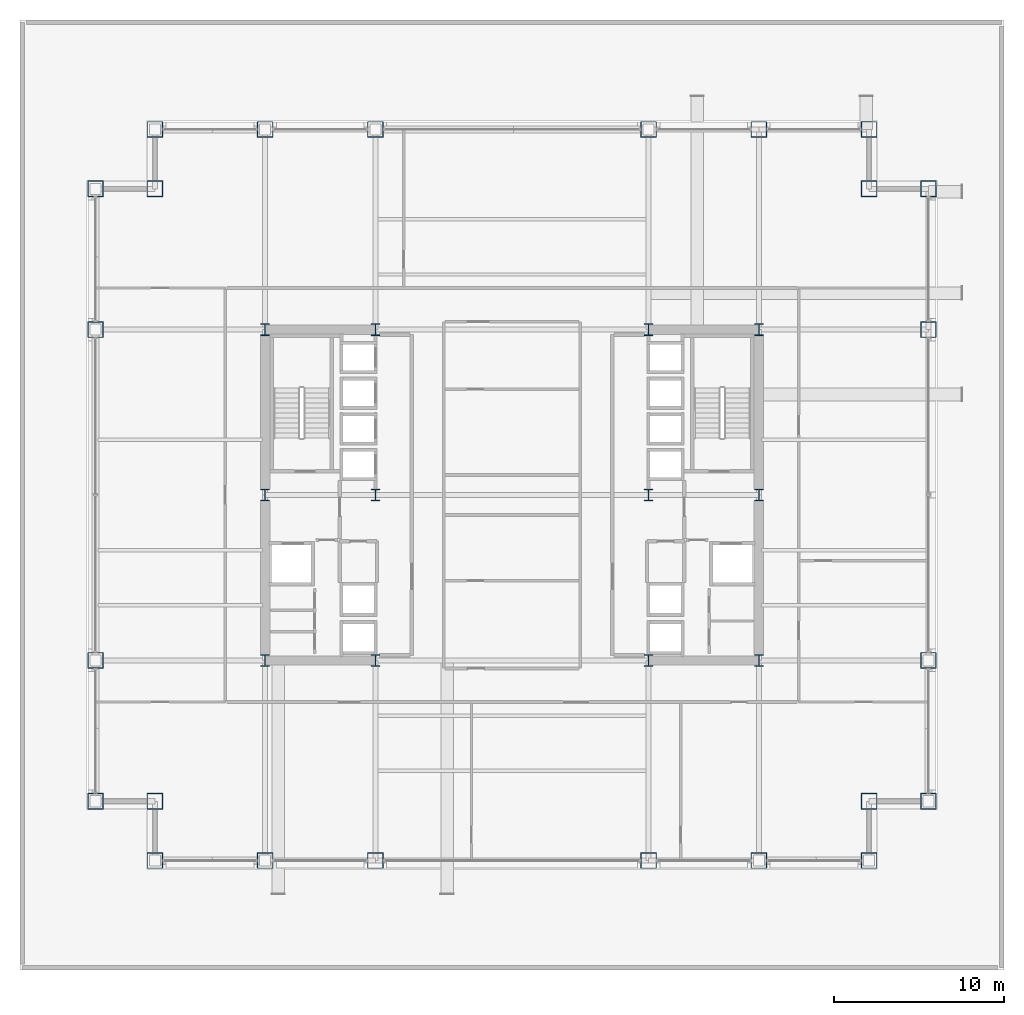
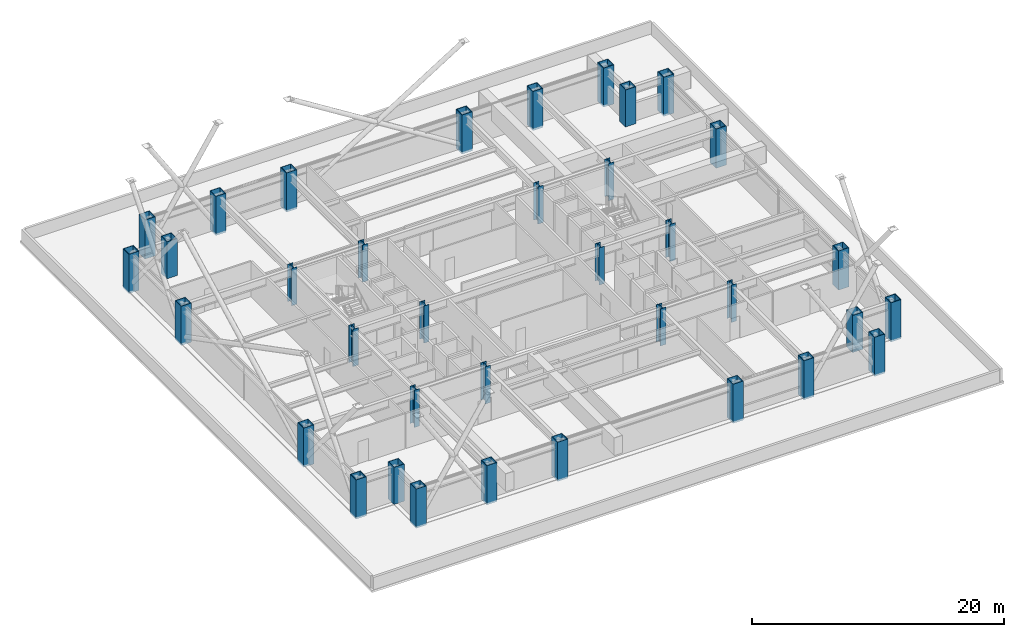
# One storey, part 1 of 33: 36 columns.
"""IFC4 building model written with IfcOpenShell, lengths in metres."""

from ifc_helpers import new_model, si_unit, direction, frame, origin, origin_2d, place, context, subcontext, project, spatial, hollow_rectangle, i_section, extrude, material, material_profile, profile_set, type_object, element, save


model = new_model("IFC4")

# Units and contexts
model_context = context("Model", 3, precision=1e-05, world=origin(), true_north=direction((0.0, 1.0)))
body_context = subcontext(model_context, "Body", "Model", "MODEL_VIEW")
ifc_project = project(units=[si_unit("LENGTHUNIT", "METRE"), si_unit("AREAUNIT", "SQUARE_METRE"), si_unit("VOLUMEUNIT", "CUBIC_METRE"), si_unit("PLANEANGLEUNIT", "RADIAN"), si_unit("MASSUNIT", "GRAM", prefix="KILO")], contexts=[model_context])

# Site, building, storey
site_placement = place(None, origin())
site = spatial("IfcSite", under=ifc_project, at=site_placement, CompositionType="ELEMENT")
building_placement = place(site_placement, origin())
building = spatial("IfcBuilding", under=site, at=building_placement, Name="Brelmoor Portico Tower", CompositionType="ELEMENT")
storey_placement = place(building_placement, frame((0.0, 0.0, 24.0)))
storey = spatial("IfcBuildingStorey", under=building, at=storey_placement, Name="L05", CompositionType="ELEMENT", Elevation=24.0)

# Columns
ifc_material = material(Name="Steel Q420B", Category="steel")
ifc_material_profile_1 = material_profile(ifc_material, hollow_rectangle(XDim=0.949951171875, YDim=0.949951171875, WallThickness=0.048095703125, at=origin_2d()), Name="BOX 950x950x48")
ifc_profile_set_1 = profile_set([ifc_material_profile_1], Name="Steel Q420B")
column_type_1 = type_object("IfcColumnType", Name="COL-MEGA-950", PredefinedType="COLUMN", material=ifc_profile_set_1)
for number, where, z_axis, x_axis, name in (
    (1, (-21.050048828125, -21.550048828125, -0.199951171875), (0.0, 0.0, 1.0), (1.0, 0.0, 0.0), "L05 Perimeter Mega-Column PS01"),
    (2, (-14.550048828125, -21.550048828125, -0.199951171875), (0.0, 0.0, 1.0), (1.0, 0.0, 0.0), "L05 Perimeter Mega-Column PS02"),
    (3, (-8.050048828125, -21.550048828125, -0.199951171875), (0.0, 0.0, 1.0), (1.0, 0.0, 0.0), "L05 Perimeter Mega-Column PS03"),
    (4, (8.050048828125, -21.550048828125, -0.199951171875), (0.0, 0.0, 1.0), (1.0, 0.0, 0.0), "L05 Perimeter Mega-Column PS04"),
    (5, (14.550048828125, -21.550048828125, -0.199951171875), (0.0, 0.0, 1.0), (1.0, 0.0, 0.0), "L05 Perimeter Mega-Column PS05"),
    (6, (21.050048828125, -21.550048828125, -0.199951171875), (0.0, 0.0, 1.0), (1.0, 0.0, 0.0), "L05 Perimeter Mega-Column PS06"),
    (7, (-21.050048828125, 21.550048828125, -0.199951171875), (0.0, 0.0, 1.0), (1.0, 0.0, 0.0), "L05 Perimeter Mega-Column PN01"),
    (8, (-14.550048828125, 21.550048828125, -0.199951171875), (0.0, 0.0, 1.0), (1.0, 0.0, 0.0), "L05 Perimeter Mega-Column PN02"),
    (9, (-8.050048828125, 21.550048828125, -0.199951171875), (0.0, 0.0, 1.0), (1.0, 0.0, 0.0), "L05 Perimeter Mega-Column PN03"),
    (10, (8.050048828125, 21.550048828125, -0.199951171875), (0.0, 0.0, 1.0), (1.0, 0.0, 0.0), "L05 Perimeter Mega-Column PN04"),
    (11, (14.550048828125, 21.550048828125, -0.199951171875), (0.0, 0.0, 1.0), (1.0, 0.0, 0.0), "L05 Perimeter Mega-Column PN05"),
    (12, (21.050048828125, 21.550048828125, -0.199951171875), (0.0, 0.0, 1.0), (1.0, 0.0, 0.0), "L05 Perimeter Mega-Column PN06"),
    (13, (-24.550048828125, -18.050048828125, -0.199951171875), (0.0, 0.0, 1.0), (0.0, 1.0, 0.0), "L05 Perimeter Mega-Column PW01"),
    (14, (-24.550048828125, -9.75, -0.199951171875), (0.0, 0.0, 1.0), (0.0, 1.0, 0.0), "L05 Perimeter Mega-Column PW02"),
    (15, (-24.550048828125, 9.75, -0.199951171875), (0.0, 0.0, 1.0), (0.0, 1.0, 0.0), "L05 Perimeter Mega-Column PW03"),
    (16, (-24.550048828125, 18.050048828125, -0.199951171875), (0.0, 0.0, 1.0), (0.0, 1.0, 0.0), "L05 Perimeter Mega-Column PW04"),
    (17, (24.550048828125, -18.050048828125, -0.199951171875), (0.0, 0.0, 1.0), (0.0, 1.0, 0.0), "L05 Perimeter Mega-Column PE01"),
    (18, (24.550048828125, -9.75, -0.199951171875), (0.0, 0.0, 1.0), (0.0, 1.0, 0.0), "L05 Perimeter Mega-Column PE02"),
    (19, (24.550048828125, 9.75, -0.199951171875), (0.0, 0.0, 1.0), (0.0, 1.0, 0.0), "L05 Perimeter Mega-Column PE03"),
    (20, (24.550048828125, 18.050048828125, -0.199951171875), (0.0, 0.0, 1.0), (0.0, 1.0, 0.0), "L05 Perimeter Mega-Column PE04"),
):
    element("IfcColumn", number, at=place(storey_placement, frame(where, z_axis=z_axis, x_axis=x_axis)), inside=storey, type_object=column_type_1, Name=name, PredefinedType="COLUMN", context=body_context, shape_type="SweptSolid", body=[
        extrude(hollow_rectangle(XDim=0.949951171875, YDim=0.949951171875, WallThickness=0.048095703125, at=origin_2d()), origin(), (0.0, 0.0, 1.0), 3.800048828125),
    ])
for number, where, z_axis, x_axis, name in (
    (21, (-21.050048828125, 18.050048828125, 0.0), (0.0, 0.0, 1.0), (1.0, 0.0, 0.0), "L05 Perimeter Mega-Column PC-NW"),
    (22, (21.050048828125, 18.050048828125, 0.0), (0.0, 0.0, 1.0), (1.0, 0.0, 0.0), "L05 Perimeter Mega-Column PC-NE"),
    (23, (21.050048828125, -18.050048828125, 0.0), (0.0, 0.0, 1.0), (1.0, 0.0, 0.0), "L05 Perimeter Mega-Column PC-SE"),
    (24, (-21.050048828125, -18.050048828125, 0.0), (0.0, 0.0, 1.0), (1.0, 0.0, 0.0), "L05 Perimeter Mega-Column PC-SW"),
):
    element("IfcColumn", number, at=place(storey_placement, frame(where, z_axis=z_axis, x_axis=x_axis)), inside=storey, type_object=column_type_1, Name=name, PredefinedType="COLUMN", context=body_context, shape_type="SweptSolid", body=[
        extrude(hollow_rectangle(XDim=0.949951171875, YDim=0.949951171875, WallThickness=0.048095703125, at=origin_2d()), origin(), (0.0, 0.0, 1.0), 3.60009765625),
    ])
ifc_material_profile_2 = material_profile(ifc_material, i_section(OverallWidth=0.5, OverallDepth=0.699951171875, WebThickness=0.028076171875, FlangeThickness=0.044921875, at=origin_2d()), Name="HW 700x500x28x45")
ifc_profile_set_2 = profile_set([ifc_material_profile_2], Name="Steel Q420B")
column_type_2 = type_object("IfcColumnType", Name="COL-SPINE-700", PredefinedType="COLUMN", material=ifc_profile_set_2)
for number, where, z_axis, x_axis, name in (
    (25, (-14.550048828125, -9.75, 0.0), (0.0, 0.0, 1.0), (1.0, 0.0, 0.0), "L05 Core Spine Column CW-SW"),
    (26, (-14.550048828125, 0.0, 0.0), (0.0, 0.0, 1.0), (1.0, 0.0, 0.0), "L05 Core Spine Column CW-MW"),
    (27, (-14.550048828125, 9.75, 0.0), (0.0, 0.0, 1.0), (1.0, 0.0, 0.0), "L05 Core Spine Column CW-NW"),
    (28, (-8.050048828125, -9.75, 0.0), (0.0, 0.0, 1.0), (1.0, 0.0, 0.0), "L05 Core Spine Column CW-SE"),
    (29, (-8.050048828125, 0.0, 0.0), (0.0, 0.0, 1.0), (1.0, 0.0, 0.0), "L05 Core Spine Column CW-ME"),
    (30, (-8.050048828125, 9.75, 0.0), (0.0, 0.0, 1.0), (1.0, 0.0, 0.0), "L05 Core Spine Column CW-NE"),
    (31, (8.050048828125, -9.75, 0.0), (0.0, 0.0, 1.0), (1.0, 0.0, 0.0), "L05 Core Spine Column CE-SW"),
    (32, (8.050048828125, 0.0, 0.0), (0.0, 0.0, 1.0), (1.0, 0.0, 0.0), "L05 Core Spine Column CE-MW"),
    (33, (8.050048828125, 9.75, 0.0), (0.0, 0.0, 1.0), (1.0, 0.0, 0.0), "L05 Core Spine Column CE-NW"),
    (34, (14.550048828125, -9.75, 0.0), (0.0, 0.0, 1.0), (1.0, 0.0, 0.0), "L05 Core Spine Column CE-SE"),
    (35, (14.550048828125, 0.0, 0.0), (0.0, 0.0, 1.0), (1.0, 0.0, 0.0), "L05 Core Spine Column CE-ME"),
    (36, (14.550048828125, 9.75, 0.0), (0.0, 0.0, 1.0), (1.0, 0.0, 0.0), "L05 Core Spine Column CE-NE"),
):
    element("IfcColumn", number, at=place(storey_placement, frame(where, z_axis=z_axis, x_axis=x_axis)), inside=storey, type_object=column_type_2, Name=name, PredefinedType="COLUMN", context=body_context, shape_type="SweptSolid", body=[
        extrude(i_section(OverallWidth=0.5, OverallDepth=0.699951171875, WebThickness=0.028076171875, FlangeThickness=0.044921875, at=origin_2d()), origin(), (0.0, 0.0, 1.0), 3.60009765625),
    ])

save(model, "model.ifc")
